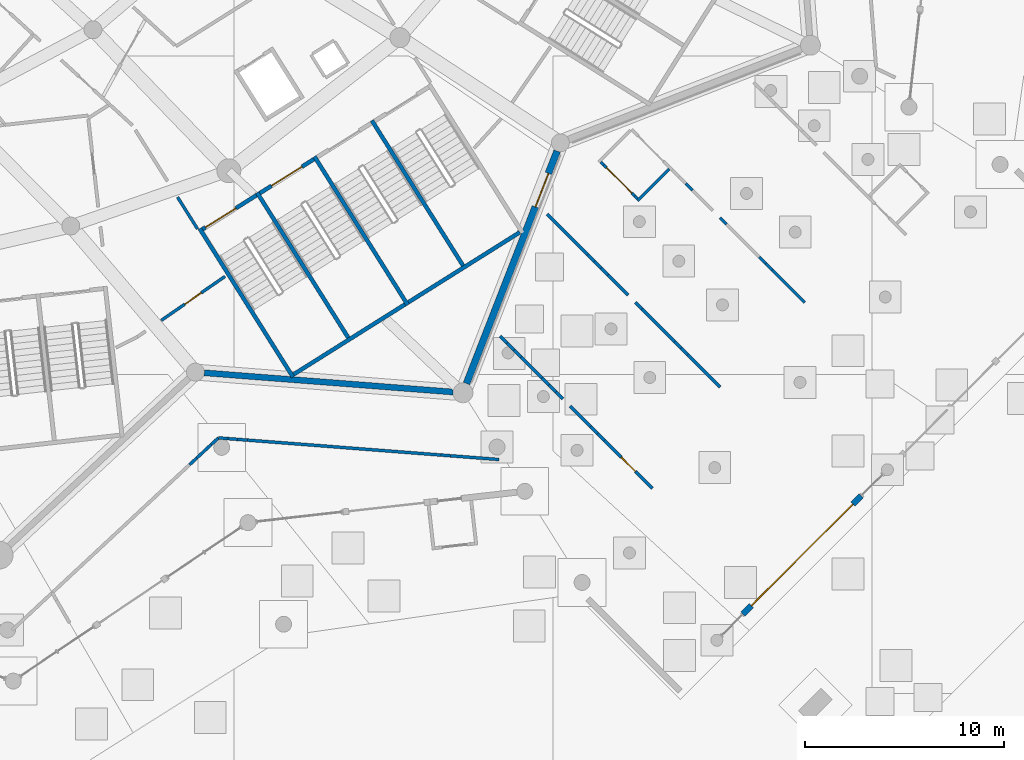
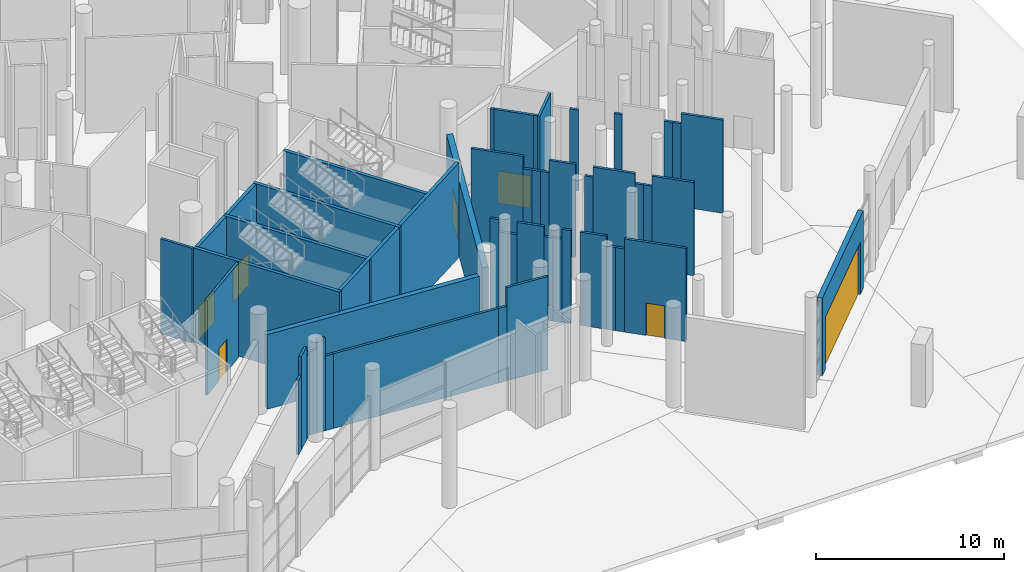
# One storey, part 123 of 255: 52 walls, 7 doors, 7 openings.
"""IFC4 building model written with IfcOpenShell, lengths in metres."""

from ifc_helpers import new_model, si_unit, direction, frame, frame_2d, origin, place, context, subcontext, project, spatial, rectangle, extrude, material, layer, layer_set, type_object, element, fill, save


model = new_model("IFC4")

# Units and contexts
model_context = context("Model", 3, precision=1e-05, world=origin(), true_north=direction((0.0, 1.0)))
body_context = subcontext(model_context, "Body", "Model", "MODEL_VIEW")
ifc_project = project(units=[si_unit("LENGTHUNIT", "METRE"), si_unit("AREAUNIT", "SQUARE_METRE"), si_unit("VOLUMEUNIT", "CUBIC_METRE"), si_unit("PLANEANGLEUNIT", "RADIAN"), si_unit("MASSUNIT", "GRAM", prefix="KILO")], contexts=[model_context])

# Site, building, storey
site_placement = place(None, origin())
site = spatial("IfcSite", under=ifc_project, at=site_placement, CompositionType="ELEMENT")
building_placement = place(site_placement, origin())
building = spatial("IfcBuilding", under=site, at=building_placement, Name="Meseta Stadium", CompositionType="ELEMENT")
storey_placement = place(building_placement, origin())
storey = spatial("IfcBuildingStorey", under=building, at=storey_placement, Name="L00", CompositionType="ELEMENT", Elevation=0.0)

# Walls
ifc_material_1 = material(Name="Concrete C40/50", Category="concrete")
ifc_layer_1 = layer(ifc_material_1, 0.199951171875)
ifc_layer_set_1 = layer_set([ifc_layer_1], Name="Core divider wall 200")
wall_type_1 = type_object("IfcWallType", Name="Core divider wall 200", PredefinedType="SHEAR", material=ifc_layer_set_1)
wall_1_placement = place(storey_placement, frame((69.8291015625, -94.314453125, 0.0), z_axis=(0.0, 0.0, 1.0), x_axis=(-0.532032334759, 0.846724036963, 0.0)))
element("IfcWall", 1, at=wall_1_placement, inside=storey, type_object=wall_type_1, Name="Core 27 L00 stair A divider wall", PredefinedType="SHEAR", context=body_context, shape_type="SweptSolid", body=[
    extrude(rectangle(XDim=8.800048828125, YDim=0.199951171875, at=frame_2d((4.39990234375, 0.0))), origin(), (0.0, 0.0, 1.0), 6.14990234375),
])
wall_2_placement = place(storey_placement, frame((75.5869140625, -90.696533203125, 0.0), z_axis=(0.0, 0.0, 1.0), x_axis=(-0.532044832901, 0.846716183726, 0.0)))
element("IfcWall", 2, at=wall_2_placement, inside=storey, type_object=wall_type_1, Name="Core 27 L00 stair B divider wall", PredefinedType="SHEAR", context=body_context, shape_type="SweptSolid", body=[
    extrude(rectangle(XDim=8.7998046875, YDim=0.199951171875, at=frame_2d((4.39990234375, 0.0))), origin(), (0.0, 0.0, 1.0), 6.14990234375),
])
ifc_material_2 = material(Name="Concrete C40/50", Category="concrete")
ifc_layer_2 = layer(ifc_material_2, 0.199951171875)
ifc_layer_set_2 = layer_set([ifc_layer_2], Name="Core shaft wall 200")
wall_type_2 = type_object("IfcWallType", Name="Core shaft wall 200", PredefinedType="SHEAR", material=ifc_layer_set_2)
for number, where, z_axis, x_axis, name in (
    (3, (66.9501953125, -96.123291015625, 0.0), (0.0, 0.0, 1.0), (-0.532032334759, 0.846724036963, 0.0), "Core 27 L00 stair wall A-side"),
    (4, (72.7080078125, -92.505615234375, 0.0), (0.0, 0.0, 1.0), (-0.532032334759, 0.846724036963, 0.0), "Core 27 L00 stair wall shared"),
):
    element("IfcWall", number, at=place(storey_placement, frame(where, z_axis=z_axis, x_axis=x_axis)), inside=storey, type_object=wall_type_2, Name=name, PredefinedType="SHEAR", context=body_context, shape_type="SweptSolid", body=[
        extrude(rectangle(XDim=8.800048828125, YDim=0.199951171875, at=frame_2d((4.39990234375, 0.0))), origin(), (0.0, 0.0, 1.0), 6.14990234375),
    ])
for number, where, z_axis, x_axis, name in (
    (5, (66.981689453125, -95.985595703125, 0.0), (0.0, 0.0, 1.0), (0.846719870989, 0.532038964807, 0.0), "Core 27 L00 stair A outer end wall"),
    (6, (72.739501953125, -92.36767578125, 0.0), (0.0, 0.0, 1.0), (0.846719870989, 0.532038964807, 0.0), "Core 27 L00 stair B outer end wall"),
):
    element("IfcWall", number, at=place(storey_placement, frame(where, z_axis=z_axis, x_axis=x_axis)), inside=storey, type_object=wall_type_2, Name=name, PredefinedType="SHEAR", context=body_context, shape_type="SweptSolid", body=[
        extrude(rectangle(XDim=6.60009765625, YDim=0.199951171875, at=frame_2d((3.300048828125, 0.0))), origin(), (0.0, 0.0, 1.0), 6.14990234375),
    ])

# Wall, opening, door
wall_3_placement = place(storey_placement, frame((62.40625, -88.70361328125, 0.0), z_axis=(0.0, 0.0, 1.0), x_axis=(0.846735733015, 0.532013720158, 0.0)))
wall_3 = element("IfcWall", 7, at=wall_3_placement, inside=storey, type_object=wall_type_2, Name="Core 27 L00 stair A1 inner end wall", PredefinedType="SHEAR", context=body_context, shape_type="SweptSolid", body=[
    extrude(rectangle(XDim=3.199951171875, YDim=0.199951171875, at=frame_2d((1.60009765625, 0.0))), origin(), (0.0, 0.0, 1.0), 6.14990234375),
])
opening_1_placement = place(wall_3_placement, frame((0.177978515625, 0.0, 0.0)))
opening_1 = element("IfcOpeningElement", 8, at=opening_1_placement, cuts=wall_3, Name="Opening D357", PredefinedType="OPENING", context=body_context, shape_type="SweptSolid", body=[
    extrude(rectangle(XDim=1.800048828125, YDim=2.10009765625, at=frame_2d((0.89990234375, 1.050048828125))), frame((0.0, 0.10986328125, 0.0), z_axis=(0.0, -1.0, 0.0), x_axis=(1.0, 0.0, 0.0)), (0.0, 0.0, 1.0), 0.219970703125),
])
ifc_material_3 = material(Name="Steel", Category="steel")
door_type_1 = type_object("IfcDoorType", Name="Stair door 1800x2100", OperationType="DOUBLE_DOOR_SINGLE_SWING", PredefinedType="DOOR", material=ifc_material_3)
door_1_placement = place(opening_1_placement, origin())
door_1 = element("IfcDoor", 9, at=door_1_placement, inside=storey, type_object=door_type_1, Name="Stair A1 door 27 L00", OperationType="DOUBLE_DOOR_SINGLE_SWING", OverallHeight=2.10009765625, OverallWidth=1.800048828125, PredefinedType="DOOR", context=body_context, shape_type="SweptSolid", body=[
    extrude(rectangle(XDim=1.800048828125, YDim=2.10009765625, at=frame_2d((0.89990234375, 1.050048828125))), frame((0.0, 0.02490234375, 0.0), z_axis=(0.0, -1.0, 0.0), x_axis=(1.0, 0.0, 0.0)), (0.0, 0.0, 1.0), 0.050048828125),
])
fill(opening_1, door_1)

wall_4_placement = place(storey_placement, frame((65.28515625, -86.894775390625, 0.0), z_axis=(0.0, 0.0, 1.0), x_axis=(0.846735733015, 0.532013720158, 0.0)))
wall_4 = element("IfcWall", 10, at=wall_4_placement, inside=storey, type_object=wall_type_2, Name="Core 27 L00 stair A2 inner end wall", PredefinedType="SHEAR", context=body_context, shape_type="SweptSolid", body=[
    extrude(rectangle(XDim=3.199951171875, YDim=0.199951171875, at=frame_2d((1.60009765625, 0.0))), origin(), (0.0, 0.0, 1.0), 6.14990234375),
])
opening_2_placement = place(wall_4_placement, frame((0.699951171875, 0.0, 0.0)))
opening_2 = element("IfcOpeningElement", 11, at=opening_2_placement, cuts=wall_4, Name="Opening D358", PredefinedType="OPENING", context=body_context, shape_type="SweptSolid", body=[
    extrude(rectangle(XDim=1.800048828125, YDim=2.10009765625, at=frame_2d((0.89990234375, 1.050048828125))), frame((0.0, 0.10986328125, 0.0), z_axis=(0.0, -1.0, 0.0), x_axis=(1.0, 0.0, 0.0)), (0.0, 0.0, 1.0), 0.219970703125),
])
door_2_placement = place(opening_2_placement, origin())
door_2 = element("IfcDoor", 12, at=door_2_placement, inside=storey, type_object=door_type_1, Name="Stair A2 door 27 L00", OperationType="DOUBLE_DOOR_SINGLE_SWING", OverallHeight=2.10009765625, OverallWidth=1.800048828125, PredefinedType="DOOR", context=body_context, shape_type="SweptSolid", body=[
    extrude(rectangle(XDim=1.800048828125, YDim=2.10009765625, at=frame_2d((0.89990234375, 1.050048828125))), frame((0.0, 0.02490234375, 0.0), z_axis=(0.0, -1.0, 0.0), x_axis=(1.0, 0.0, 0.0)), (0.0, 0.0, 1.0), 0.050048828125),
])
fill(opening_2, door_2)

ifc_material_4 = material(Name="Precast concrete C40/50", Category="concrete")
ifc_layer_3 = layer(ifc_material_4, 0.300048828125)
ifc_layer_set_3 = layer_set([ifc_layer_3], Name="Gate facade panel wall 300")
wall_type_3 = type_object("IfcWallType", Name="Gate facade panel wall 300", PredefinedType="SOLIDWALL", material=ifc_layer_set_3)
wall_5_placement = place(storey_placement, frame((95.462158203125, -102.078369140625, 0.0), z_axis=(0.0, 0.0, 1.0), x_axis=(-0.707106781187, -0.707106781187, 0.0)))
wall_5 = element("IfcWall", 13, at=wall_5_placement, inside=storey, type_object=wall_type_3, Name="Gate 8 entrance wall", PredefinedType="SOLIDWALL", context=body_context, shape_type="SweptSolid", body=[
    extrude(rectangle(XDim=8.39990234375, YDim=0.300048828125, at=frame_2d((4.199951171875, 0.0))), origin(), (0.0, 0.0, 1.0), 5.050048828125),
])
opening_3_placement = place(wall_5_placement, frame((0.60009765625, 0.0, 0.0)))
opening_3 = element("IfcOpeningElement", 14, at=opening_3_placement, cuts=wall_5, Name="Opening D027", PredefinedType="OPENING", context=body_context, shape_type="SweptSolid", body=[
    extrude(rectangle(XDim=7.199951171875, YDim=3.39990234375, at=frame_2d((3.60009765625, 1.699951171875))), frame((0.0, 0.159912109375, 0.0), z_axis=(0.0, -1.0, 0.0), x_axis=(1.0, 0.0, 0.0)), (0.0, 0.0, 1.0), 0.320068359375),
])
ifc_material_5 = material(Name="Steel", Category="steel")
door_type_2 = type_object("IfcDoorType", Name="Main entrance door 7200x3400", OperationType="DOUBLE_DOOR_SINGLE_SWING", PredefinedType="DOOR", material=ifc_material_5)
door_3_placement = place(opening_3_placement, origin())
door_3 = element("IfcDoor", 15, at=door_3_placement, inside=storey, type_object=door_type_2, Name="Main entrance E8", OperationType="DOUBLE_DOOR_SINGLE_SWING", OverallHeight=3.39990234375, OverallWidth=7.199951171875, PredefinedType="DOOR", context=body_context, shape_type="SweptSolid", body=[
    extrude(rectangle(XDim=7.199951171875, YDim=3.39990234375, at=frame_2d((3.60009765625, 1.699951171875))), frame((0.0, 0.02490234375, 0.0), z_axis=(0.0, -1.0, 0.0), x_axis=(1.0, 0.0, 0.0)), (0.0, 0.0, 1.0), 0.050048828125),
])
fill(opening_3, door_3)

# Walls
ifc_material_6 = material(Name="Masonry blockwork", Category="masonry")
ifc_layer_4 = layer(ifc_material_6, 0.14990234375)
ifc_layer_set_4 = layer_set([ifc_layer_4], Name="Partition 150")
wall_type_4 = type_object("IfcWallType", Name="Partition 150", PredefinedType="PARTITIONING", material=ifc_layer_set_4)
wall_6_placement = place(storey_placement, frame((77.338134765625, -94.066162109375, 0.0), z_axis=(0.0, 0.0, 1.0), x_axis=(0.707106781187, -0.707106781187, 0.0)))
element("IfcWall", 16, at=wall_6_placement, inside=storey, type_object=wall_type_4, Name="Partition L00 G8-L00-0-SecurityScreening-0", PredefinedType="PARTITIONING", context=body_context, shape_type="SweptSolid", body=[
    extrude(rectangle(XDim=0.495361328125, YDim=0.14990234375, at=frame_2d((0.24755859375, 0.0))), origin(), (0.0, 0.0, 1.0), 6.050048828125),
])
for number, where, z_axis, x_axis, name in (
    (17, (77.6884765625, -94.41650390625, 0.0), (0.0, 0.0, 1.0), (0.707353202764, -0.706860273703, 0.0), "Partition L00 G8-L00-0-SecurityScreening-0"),
    (18, (78.038818359375, -94.7666015625, 0.0), (0.0, 0.0, 1.0), (0.707106781187, -0.707106781187, 0.0), "Partition L00 G8-L00-0-SecurityScreening-0"),
):
    element("IfcWall", number, at=place(storey_placement, frame(where, z_axis=z_axis, x_axis=x_axis)), inside=storey, type_object=wall_type_4, Name=name, PredefinedType="PARTITIONING", context=body_context, shape_type="SweptSolid", body=[
        extrude(rectangle(XDim=0.495361328125, YDim=0.14990234375, at=frame_2d((0.24755859375, 0.0))), origin(), (0.0, 0.0, 1.0), 5.25),
    ])
wall_7_placement = place(storey_placement, frame((78.38916015625, -95.116943359375, 0.0), z_axis=(0.0, 0.0, 1.0), x_axis=(0.707024640654, -0.707188912178, 0.0)))
element("IfcWall", 19, at=wall_7_placement, inside=storey, type_object=wall_type_4, Name="Partition L00 G8-L00-0-SecurityScreening-0", PredefinedType="PARTITIONING", context=body_context, shape_type="SweptSolid", body=[
    extrude(rectangle(XDim=1.486083984375, YDim=0.14990234375, at=frame_2d((0.7431640625, 0.0))), origin(), (0.0, 0.0, 1.0), 6.050048828125),
])
for number, where, z_axis, x_axis, name in (
    (20, (79.43994140625, -96.16796875, 0.0), (0.0, 0.0, 1.0), (0.707106781187, -0.707106781187, 0.0), "Partition L00 G8-L00-0-SecurityScreening-0"),
    (21, (79.790283203125, -96.518310546875, 0.0), (0.0, 0.0, 1.0), (0.707353202764, -0.706860273703, 0.0), "Partition L00 G8-L00-0-SecurityScreening-0"),
):
    element("IfcWall", number, at=place(storey_placement, frame(where, z_axis=z_axis, x_axis=x_axis)), inside=storey, type_object=wall_type_4, Name=name, PredefinedType="PARTITIONING", context=body_context, shape_type="SweptSolid", body=[
        extrude(rectangle(XDim=0.495361328125, YDim=0.14990234375, at=frame_2d((0.24755859375, 0.0))), origin(), (0.0, 0.0, 1.0), 5.39990234375),
    ])
wall_8_placement = place(storey_placement, frame((80.140625, -96.868408203125, 0.0), z_axis=(0.0, 0.0, 1.0), x_axis=(0.706860445455, -0.707353031131, 0.0)))
element("IfcWall", 22, at=wall_8_placement, inside=storey, type_object=wall_type_4, Name="Partition L00 G8-L00-0-SecurityScreening-0", PredefinedType="PARTITIONING", context=body_context, shape_type="SweptSolid", body=[
    extrude(rectangle(XDim=0.49560546875, YDim=0.14990234375, at=frame_2d((0.247802734375, 0.0))), origin(), (0.0, 0.0, 1.0), 6.050048828125),
])
wall_9_placement = place(storey_placement, frame((80.853515625, -97.58154296875, 0.0), z_axis=(0.0, 0.0, 1.0), x_axis=(0.707106781187, -0.707106781187, 0.0)))
element("IfcWall", 23, at=wall_9_placement, inside=storey, type_object=wall_type_4, Name="Partition L00 G8-L00-0-SecurityScreening-0", PredefinedType="PARTITIONING", context=body_context, shape_type="SweptSolid", body=[
    extrude(rectangle(XDim=1.457763671875, YDim=0.14990234375, at=frame_2d((0.72900390625, 0.0))), origin(), (0.0, 0.0, 1.0), 6.050048828125),
])
for number, where, z_axis, x_axis, name in (
    (24, (81.88427734375, -98.6123046875, 0.0), (0.0, 0.0, 1.0), (0.707106781187, -0.707106781187, 0.0), "Partition L00 G8-L00-0-SecurityScreening-0"),
    (25, (82.227783203125, -98.955810546875, 0.0), (0.0, 0.0, 1.0), (0.707106781187, -0.707106781187, 0.0), "Partition L00 G8-L00-0-SecurityScreening-0"),
):
    element("IfcWall", number, at=place(storey_placement, frame(where, z_axis=z_axis, x_axis=x_axis)), inside=storey, type_object=wall_type_4, Name=name, PredefinedType="PARTITIONING", context=body_context, shape_type="SweptSolid", body=[
        extrude(rectangle(XDim=0.48583984375, YDim=0.14990234375, at=frame_2d((0.242919921875, 0.0))), origin(), (0.0, 0.0, 1.0), 5.39990234375),
    ])

# Wall, opening, door
wall_10_placement = place(storey_placement, frame((82.5712890625, -99.29931640625, 0.0), z_axis=(0.0, 0.0, 1.0), x_axis=(0.707142668556, -0.707070891996, 0.0)))
wall_10 = element("IfcWall", 26, at=wall_10_placement, inside=storey, type_object=wall_type_4, Name="Partition L00 G8-L00-0-SecurityScreening-0", PredefinedType="PARTITIONING", context=body_context, shape_type="SweptSolid", body=[
    extrude(rectangle(XDim=3.4013671875, YDim=0.14990234375, at=frame_2d((1.70068359375, 0.0))), origin(), (0.0, 0.0, 1.0), 6.050048828125),
])
opening_4_placement = place(wall_10_placement, frame((1.199951171875, 0.0, 0.0)))
opening_4 = element("IfcOpeningElement", 27, at=opening_4_placement, cuts=wall_10, Name="Opening D532", PredefinedType="OPENING", context=body_context, shape_type="SweptSolid", body=[
    extrude(rectangle(XDim=1.0, YDim=2.10009765625, at=frame_2d((0.5, 1.050048828125))), frame((0.0, 0.0849609375, 0.0), z_axis=(0.0, -1.0, 0.0), x_axis=(1.0, 0.0, 0.0)), (0.0, 0.0, 1.0), 0.169921875),
])
ifc_material_7 = material(Name="Steel", Category="steel")
door_type_3 = type_object("IfcDoorType", Name="Fire door 1000x2100 EI2 60", OperationType="NOTDEFINED", PredefinedType="DOOR", material=ifc_material_7)
door_4_placement = place(opening_4_placement, origin())
door_4 = element("IfcDoor", 28, at=door_4_placement, inside=storey, type_object=door_type_3, Name="Door D532", OperationType="SINGLE_SWING_RIGHT", OverallHeight=2.10009765625, OverallWidth=1.0, PredefinedType="DOOR", context=body_context, shape_type="SweptSolid", body=[
    extrude(rectangle(XDim=1.0, YDim=2.10009765625, at=frame_2d((0.5, 1.050048828125))), frame((0.0, 0.02490234375, 0.0), z_axis=(0.0, -1.0, 0.0), x_axis=(1.0, 0.0, 0.0)), (0.0, 0.0, 1.0), 0.050048828125),
])
fill(opening_4, door_4)

# Walls
wall_11_placement = place(storey_placement, frame((79.70654296875, -87.94921875, 0.0), z_axis=(0.0, 0.0, 1.0), x_axis=(0.707106781187, -0.707106781187, 0.0)))
element("IfcWall", 29, at=wall_11_placement, inside=storey, type_object=wall_type_4, Name="Partition L00 G8-L00-1-AccessibleEntranceRoom-0", PredefinedType="PARTITIONING", context=body_context, shape_type="SweptSolid", body=[
    extrude(rectangle(XDim=2.87158203125, YDim=0.14990234375, at=frame_2d((1.435791015625, 0.0))), origin(), (0.0, 0.0, 1.0), 6.050048828125),
])
for number, where, z_axis, x_axis, name in (
    (30, (81.737060546875, -89.979736328125, 0.0), (0.0, 0.0, 1.0), (0.707106781187, -0.707106781187, 0.0), "Partition L00 G8-L00-1-AccessibleEntranceRoom-0"),
    (31, (82.075439453125, -90.318115234375, 0.0), (0.0, 0.0, 1.0), (0.707106781187, -0.707106781187, 0.0), "Partition L00 G8-L00-1-AccessibleEntranceRoom-0"),
    (32, (82.413818359375, -90.656494140625, 0.0), (0.0, 0.0, 1.0), (0.707106781187, -0.707106781187, 0.0), "Partition L00 G8-L00-1-AccessibleEntranceRoom-0"),
):
    element("IfcWall", number, at=place(storey_placement, frame(where, z_axis=z_axis, x_axis=x_axis)), inside=storey, type_object=wall_type_4, Name=name, PredefinedType="PARTITIONING", context=body_context, shape_type="SweptSolid", body=[
        extrude(rectangle(XDim=0.478515625, YDim=0.14990234375, at=frame_2d((0.2392578125, 0.0))), origin(), (0.0, 0.0, 1.0), 5.25),
    ])
wall_12_placement = place(storey_placement, frame((82.752197265625, -90.994873046875, 0.0), z_axis=(0.0, 0.0, 1.0), x_axis=(0.707106781187, -0.707106781187, 0.0)))
element("IfcWall", 33, at=wall_12_placement, inside=storey, type_object=wall_type_4, Name="Partition L00 G8-L00-1-AccessibleEntranceRoom-0", PredefinedType="PARTITIONING", context=body_context, shape_type="SweptSolid", body=[
    extrude(rectangle(XDim=1.43603515625, YDim=0.14990234375, at=frame_2d((0.718017578125, 0.0))), origin(), (0.0, 0.0, 1.0), 6.050048828125),
])
wall_13_placement = place(storey_placement, frame((84.130126953125, -92.372802734375, 0.0), z_axis=(0.0, 0.0, 1.0), x_axis=(0.707370676207, -0.706842787643, 0.0)))
element("IfcWall", 34, at=wall_13_placement, inside=storey, type_object=wall_type_4, Name="Partition L00 G8-L00-1-AccessibleEntranceRoom-0", PredefinedType="PARTITIONING", context=body_context, shape_type="SweptSolid", body=[
    extrude(rectangle(XDim=0.46240234375, YDim=0.14990234375, at=frame_2d((0.231201171875, 0.0))), origin(), (0.0, 0.0, 1.0), 5.39990234375),
])
wall_14_placement = place(storey_placement, frame((84.457275390625, -92.69970703125, 0.0), z_axis=(0.0, 0.0, 1.0), x_axis=(0.707053998237, -0.707159560196, 0.0)))
element("IfcWall", 35, at=wall_14_placement, inside=storey, type_object=wall_type_4, Name="Partition L00 G8-L00-1-AccessibleEntranceRoom-0", PredefinedType="PARTITIONING", context=body_context, shape_type="SweptSolid", body=[
    extrude(rectangle(XDim=2.312744140625, YDim=0.14990234375, at=frame_2d((1.15625, 0.0))), origin(), (0.0, 0.0, 1.0), 6.050048828125),
])
for number, where, z_axis, x_axis, name in (
    (36, (86.092529296875, -94.335205078125, 0.0), (0.0, 0.0, 1.0), (0.707370676207, -0.706842787643, 0.0), "Partition L00 G8-L00-1-AccessibleEntranceRoom-0"),
    (37, (86.419677734375, -94.662109375, 0.0), (0.0, 0.0, 1.0), (0.706842787643, -0.707370676207, 0.0), "Partition L00 G8-L00-1-AccessibleEntranceRoom-0"),
):
    element("IfcWall", number, at=place(storey_placement, frame(where, z_axis=z_axis, x_axis=x_axis)), inside=storey, type_object=wall_type_4, Name=name, PredefinedType="PARTITIONING", context=body_context, shape_type="SweptSolid", body=[
        extrude(rectangle(XDim=0.46240234375, YDim=0.14990234375, at=frame_2d((0.231201171875, 0.0))), origin(), (0.0, 0.0, 1.0), 5.39990234375),
    ])
wall_15_placement = place(storey_placement, frame((86.74658203125, -94.9892578125, 0.0), z_axis=(0.0, 0.0, 1.0), x_axis=(0.707159560196, -0.707053998237, 0.0)))
element("IfcWall", 38, at=wall_15_placement, inside=storey, type_object=wall_type_4, Name="Partition L00 G8-L00-1-AccessibleEntranceRoom-0", PredefinedType="PARTITIONING", context=body_context, shape_type="SweptSolid", body=[
    extrude(rectangle(XDim=2.312744140625, YDim=0.14990234375, at=frame_2d((1.15625, 0.0))), origin(), (0.0, 0.0, 1.0), 6.050048828125),
])
wall_16_placement = place(storey_placement, frame((86.656494140625, -86.413818359375, 0.0), z_axis=(0.0, 0.0, 1.0), x_axis=(0.707106781187, -0.707106781187, 0.0)))
element("IfcWall", 39, at=wall_16_placement, inside=storey, type_object=wall_type_4, Name="Partition L00 G8-L00-2-TicketHall-0", PredefinedType="PARTITIONING", context=body_context, shape_type="SweptSolid", body=[
    extrude(rectangle(XDim=0.478515625, YDim=0.14990234375, at=frame_2d((0.2392578125, 0.0))), origin(), (0.0, 0.0, 1.0), 5.25),
])
for number, where, z_axis, x_axis, name in (
    (40, (88.372802734375, -88.130126953125, 0.0), (0.0, 0.0, 1.0), (0.706842787643, -0.707370676207, 0.0), "Partition L00 G8-L00-2-TicketHall-0"),
    (41, (90.335205078125, -90.092529296875, 0.0), (0.0, 0.0, 1.0), (0.706842787643, -0.707370676207, 0.0), "Partition L00 G8-L00-2-TicketHall-0"),
    (42, (90.662109375, -90.419677734375, 0.0), (0.0, 0.0, 1.0), (0.707370676207, -0.706842787643, 0.0), "Partition L00 G8-L00-2-TicketHall-0"),
):
    element("IfcWall", number, at=place(storey_placement, frame(where, z_axis=z_axis, x_axis=x_axis)), inside=storey, type_object=wall_type_4, Name=name, PredefinedType="PARTITIONING", context=body_context, shape_type="SweptSolid", body=[
        extrude(rectangle(XDim=0.46240234375, YDim=0.14990234375, at=frame_2d((0.231201171875, 0.0))), origin(), (0.0, 0.0, 1.0), 5.39990234375),
    ])
wall_17_placement = place(storey_placement, frame((90.9892578125, -90.74658203125, 0.0), z_axis=(0.0, 0.0, 1.0), x_axis=(0.707053998237, -0.707159560196, 0.0)))
element("IfcWall", 43, at=wall_17_placement, inside=storey, type_object=wall_type_4, Name="Partition L00 G8-L00-2-TicketHall-0", PredefinedType="PARTITIONING", context=body_context, shape_type="SweptSolid", body=[
    extrude(rectangle(XDim=2.312744140625, YDim=0.14990234375, at=frame_2d((1.15625, 0.0))), origin(), (0.0, 0.0, 1.0), 6.050048828125),
])
wall_18_placement = place(storey_placement, frame((61.15673828125, -87.091064453125, 0.0), z_axis=(0.0, 0.0, 1.0), x_axis=(0.532052497691, -0.84671136741, 0.0)))
element("IfcWall", 44, at=wall_18_placement, inside=storey, type_object=wall_type_4, Name="Partition L00 L00-cell25-2-0", PredefinedType="PARTITIONING", context=body_context, shape_type="SweptSolid", body=[
    extrude(rectangle(XDim=1.89013671875, YDim=0.14990234375, at=frame_2d((0.945068359375, 0.0))), origin(), (0.0, 0.0, 1.0), 6.14990234375),
])

# Wall, opening, door
wall_19_placement = place(storey_placement, frame((60.348388671875, -93.272216796875, 0.0), z_axis=(0.0, 0.0, 1.0), x_axis=(0.823118384127, 0.567869814053, 0.0)))
wall_19 = element("IfcWall", 45, at=wall_19_placement, inside=storey, type_object=wall_type_4, Name="Partition L00 L00-cell25-2-0", PredefinedType="PARTITIONING", context=body_context, shape_type="SweptSolid", body=[
    extrude(rectangle(XDim=3.876708984375, YDim=0.14990234375, at=frame_2d((1.9384765625, 0.0))), origin(), (0.0, 0.0, 1.0), 6.14990234375),
])
opening_5_placement = place(wall_19_placement, frame((1.426513671875, 0.0, 0.0)))
opening_5 = element("IfcOpeningElement", 46, at=opening_5_placement, cuts=wall_19, Name="Opening D614", PredefinedType="OPENING", context=body_context, shape_type="SweptSolid", body=[
    extrude(rectangle(XDim=1.0, YDim=2.10009765625, at=frame_2d((0.5, 1.050048828125))), frame((0.0, 0.0849609375, 0.0), z_axis=(0.0, -1.0, 0.0), x_axis=(1.0, 0.0, 0.0)), (0.0, 0.0, 1.0), 0.169921875),
])
ifc_material_8 = material(Name="Steel", Category="steel")
door_type_4 = type_object("IfcDoorType", Name="Fire door 1000x2100 EI2 120", OperationType="NOTDEFINED", PredefinedType="DOOR", material=ifc_material_8)
door_5_placement = place(opening_5_placement, origin())
door_5 = element("IfcDoor", 47, at=door_5_placement, inside=storey, type_object=door_type_4, Name="Door D614", OperationType="SINGLE_SWING_RIGHT", OverallHeight=2.10009765625, OverallWidth=1.0, PredefinedType="DOOR", context=body_context, shape_type="SweptSolid", body=[
    extrude(rectangle(XDim=1.0, YDim=2.10009765625, at=frame_2d((0.5, 1.050048828125))), frame((0.0, 0.02490234375, 0.0), z_axis=(0.0, -1.0, 0.0), x_axis=(1.0, 0.0, 0.0)), (0.0, 0.0, 1.0), 0.050048828125),
])
fill(opening_5, door_5)

# Walls
wall_20_placement = place(storey_placement, frame((61.76220703125, -100.516845703125, 0.0), z_axis=(0.0, 0.0, 1.0), x_axis=(0.731417207669, 0.681930251805, 0.0)))
element("IfcWall", 48, at=wall_20_placement, inside=storey, type_object=wall_type_4, Name="Partition L00 L00-ring25-0", PredefinedType="PARTITIONING", context=body_context, shape_type="SweptSolid", body=[
    extrude(rectangle(XDim=0.493408203125, YDim=0.14990234375, at=frame_2d((0.24658203125, 0.0))), origin(), (0.0, 0.0, 1.0), 4.85009765625),
])
wall_21_placement = place(storey_placement, frame((62.123046875, -100.180419921875, 0.0), z_axis=(0.0, 0.0, 1.0), x_axis=(0.731655638736, 0.681674428379, 0.0)))
element("IfcWall", 49, at=wall_21_placement, inside=storey, type_object=wall_type_4, Name="Partition L00 L00-ring25-0", PredefinedType="PARTITIONING", context=body_context, shape_type="SweptSolid", body=[
    extrude(rectangle(XDim=0.98681640625, YDim=0.14990234375, at=frame_2d((0.493408203125, 0.0))), origin(), (0.0, 0.0, 1.0), 6.050048828125),
])
wall_22_placement = place(storey_placement, frame((62.844970703125, -99.5078125, 0.0), z_axis=(0.0, 0.0, 1.0), x_axis=(0.731417207669, 0.681930251805, 0.0)))
element("IfcWall", 50, at=wall_22_placement, inside=storey, type_object=wall_type_4, Name="Partition L00 L00-ring25-0", PredefinedType="PARTITIONING", context=body_context, shape_type="SweptSolid", body=[
    extrude(rectangle(XDim=0.493408203125, YDim=0.14990234375, at=frame_2d((0.24658203125, 0.0))), origin(), (0.0, 0.0, 1.0), 5.39990234375),
])
wall_23_placement = place(storey_placement, frame((63.205810546875, -99.17138671875, 0.0), z_axis=(0.0, 0.0, 1.0), x_axis=(0.997051534558, -0.076734851503, 0.0)))
element("IfcWall", 51, at=wall_23_placement, inside=storey, type_object=wall_type_4, Name="Partition L00 L00-ring25-0", PredefinedType="PARTITIONING", context=body_context, shape_type="SweptSolid", body=[
    extrude(rectangle(XDim=0.48681640625, YDim=0.14990234375, at=frame_2d((0.243408203125, 0.0))), origin(), (0.0, 0.0, 1.0), 5.39990234375),
])
wall_24_placement = place(storey_placement, frame((63.691162109375, -99.208740234375, 0.0), z_axis=(0.0, 0.0, 1.0), x_axis=(0.997054485502, -0.076696498885, 0.0)))
element("IfcWall", 52, at=wall_24_placement, inside=storey, type_object=wall_type_4, Name="Partition L00 L00-ring25-0", PredefinedType="PARTITIONING", context=body_context, shape_type="SweptSolid", body=[
    extrude(rectangle(XDim=0.487060546875, YDim=0.14990234375, at=frame_2d((0.24365234375, 0.0))), origin(), (0.0, 0.0, 1.0), 6.050048828125),
])
wall_25_placement = place(storey_placement, frame((64.1767578125, -99.24609375, 0.0), z_axis=(0.0, 0.0, 1.0), x_axis=(0.99701303965, -0.07723340448, 0.0)))
element("IfcWall", 53, at=wall_25_placement, inside=storey, type_object=wall_type_4, Name="Partition L00 L00-ring25-0", PredefinedType="PARTITIONING", context=body_context, shape_type="SweptSolid", body=[
    extrude(rectangle(XDim=0.48681640625, YDim=0.14990234375, at=frame_2d((0.243408203125, 0.0))), origin(), (0.0, 0.0, 1.0), 4.85009765625),
])
wall_26_placement = place(storey_placement, frame((64.662109375, -99.28369140625, 0.0), z_axis=(0.0, 0.0, 1.0), x_axis=(0.997035430136, -0.076943817519, 0.0)))
element("IfcWall", 54, at=wall_26_placement, inside=storey, type_object=wall_type_4, Name="Partition L00 L00-ring25-0", PredefinedType="PARTITIONING", context=body_context, shape_type="SweptSolid", body=[
    extrude(rectangle(XDim=9.73779296875, YDim=0.14990234375, at=frame_2d((4.868896484375, 0.0))), origin(), (0.0, 0.0, 1.0), 4.85009765625),
])
wall_27_placement = place(storey_placement, frame((74.37109375, -100.032958984375, 0.0), z_axis=(0.0, 0.0, 1.0), x_axis=(0.997051534558, -0.076734851503, 0.0)))
element("IfcWall", 55, at=wall_27_placement, inside=storey, type_object=wall_type_4, Name="Partition L00 L00-ring25-0", PredefinedType="PARTITIONING", context=body_context, shape_type="SweptSolid", body=[
    extrude(rectangle(XDim=0.48681640625, YDim=0.14990234375, at=frame_2d((0.243408203125, 0.0))), origin(), (0.0, 0.0, 1.0), 4.85009765625),
])
wall_28_placement = place(storey_placement, frame((74.8564453125, -100.0703125, 0.0), z_axis=(0.0, 0.0, 1.0), x_axis=(0.99703735319, -0.076918894578, 0.0)))
element("IfcWall", 56, at=wall_28_placement, inside=storey, type_object=wall_type_4, Name="Partition L00 L00-ring25-0", PredefinedType="PARTITIONING", context=body_context, shape_type="SweptSolid", body=[
    extrude(rectangle(XDim=2.4345703125, YDim=0.14990234375, at=frame_2d((1.21728515625, 0.0))), origin(), (0.0, 0.0, 1.0), 6.050048828125),
])
wall_29_placement = place(storey_placement, frame((85.822998046875, -85.6865234375, 0.0), z_axis=(0.0, 0.0, 1.0), x_axis=(-0.707052524, -0.70716103421, 0.0)))
element("IfcWall", 57, at=wall_29_placement, inside=storey, type_object=wall_type_4, Name="Partition L00 G8-L00-2-TicketHall-0 vestibule", PredefinedType="PARTITIONING", context=body_context, shape_type="SweptSolid", body=[
    extrude(rectangle(XDim=2.25, YDim=0.14990234375, at=frame_2d((1.125, 0.0))), origin(), (0.0, 0.0, 1.0), 6.10009765625),
])
wall_30_placement = place(storey_placement, frame((82.3935546875, -85.3330078125, 0.0), z_axis=(0.0, 0.0, 1.0), x_axis=(0.707106781187, -0.707106781187, 0.0)))
element("IfcWall", 58, at=wall_30_placement, inside=storey, type_object=wall_type_4, Name="Partition L00 G8-L00-2-TicketHall-0 vestibule", PredefinedType="PARTITIONING", context=body_context, shape_type="SweptSolid", body=[
    extrude(rectangle(XDim=0.199951171875, YDim=0.14990234375, at=frame_2d((0.10009765625, 0.0))), origin(), (0.0, 0.0, 1.0), 6.10009765625),
])

# Wall, opening, door
wall_31_placement = place(storey_placement, frame((82.534912109375, -85.474365234375, 0.0), z_axis=(0.0, 0.0, 1.0), x_axis=(0.707106781187, -0.707106781187, 0.0)))
wall_31 = element("IfcWall", 59, at=wall_31_placement, inside=storey, type_object=wall_type_4, Name="Partition L00 G8-L00-2-TicketHall-0 vestibule", PredefinedType="PARTITIONING", context=body_context, shape_type="SweptSolid", body=[
    extrude(rectangle(XDim=2.199951171875, YDim=0.14990234375, at=frame_2d((1.10009765625, 0.0))), origin(), (0.0, 0.0, 1.0), 6.10009765625),
])
opening_6_placement = place(wall_31_placement, frame((0.199951171875, 0.0, 0.0)))
opening_6 = element("IfcOpeningElement", 60, at=opening_6_placement, cuts=wall_31, Name="Opening D817", PredefinedType="OPENING", context=body_context, shape_type="SweptSolid", body=[
    extrude(rectangle(XDim=1.800048828125, YDim=2.10009765625, at=frame_2d((0.89990234375, 1.050048828125))), frame((0.0, 0.0849609375, 0.0), z_axis=(0.0, -1.0, 0.0), x_axis=(1.0, 0.0, 0.0)), (0.0, 0.0, 1.0), 0.169921875),
])
ifc_material_9 = material(Name="Steel", Category="steel")
door_type_5 = type_object("IfcDoorType", Name="Fire double door 1800x2100 EI2 60", OperationType="DOUBLE_DOOR_SINGLE_SWING", PredefinedType="DOOR", material=ifc_material_9)
door_6_placement = place(opening_6_placement, origin())
door_6 = element("IfcDoor", 61, at=door_6_placement, inside=storey, type_object=door_type_5, Name="Vestibule door L00 G8-L00-2-TicketHall-0", OperationType="DOUBLE_DOOR_SINGLE_SWING", OverallHeight=2.10009765625, OverallWidth=1.800048828125, PredefinedType="DOOR", context=body_context, shape_type="SweptSolid", body=[
    extrude(rectangle(XDim=1.800048828125, YDim=2.10009765625, at=frame_2d((0.89990234375, 1.050048828125))), frame((0.0, 0.02490234375, 0.0), z_axis=(0.0, -1.0, 0.0), x_axis=(1.0, 0.0, 0.0)), (0.0, 0.0, 1.0), 0.050048828125),
])
fill(opening_6, door_6)

# Walls
wall_32_placement = place(storey_placement, frame((84.090576171875, -87.030029296875, 0.0), z_axis=(0.0, 0.0, 1.0), x_axis=(0.707716618519, -0.706496417452, 0.0)))
element("IfcWall", 62, at=wall_32_placement, inside=storey, type_object=wall_type_4, Name="Partition L00 G8-L00-2-TicketHall-0 vestibule", PredefinedType="PARTITIONING", context=body_context, shape_type="SweptSolid", body=[
    extrude(rectangle(XDim=0.2001953125, YDim=0.14990234375, at=frame_2d((0.10009765625, 0.0))), origin(), (0.0, 0.0, 1.0), 6.10009765625),
])
ifc_material_10 = material(Name="White precast concrete C40/50", Category="concrete")
ifc_layer_5 = layer(ifc_material_10, 0.300048828125)
ifc_layer_set_5 = layer_set([ifc_layer_5], Name="Pleated panel wall 300 concourse")
wall_type_5 = type_object("IfcWallType", Name="Pleated panel wall 300 concourse", PredefinedType="SOLIDWALL", material=ifc_layer_set_5)
wall_33_placement = place(storey_placement, frame((74.9765625, -96.8701171875, 0.0), z_axis=(0.0, 0.0, 1.0), x_axis=(-0.997035289114, 0.076945644854, 0.0)))
element("IfcWall", 63, at=wall_33_placement, inside=storey, type_object=wall_type_5, Name="Pleated facade panel L00 F51", PredefinedType="SOLIDWALL", context=body_context, shape_type="SweptSolid", body=[
    extrude(rectangle(XDim=12.513916015625, YDim=0.300048828125, at=frame_2d((6.2568359375, 0.0))), origin(), (0.0, 0.0, 1.0), 4.85009765625),
])

# Wall, opening, door
ifc_material_11 = material(Name="White precast concrete C40/50", Category="concrete")
ifc_layer_6 = layer(ifc_material_11, 0.35009765625)
ifc_layer_set_6 = layer_set([ifc_layer_6], Name="Pleated panel wall 350 gate")
wall_type_6 = type_object("IfcWallType", Name="Pleated panel wall 350 gate", PredefinedType="SOLIDWALL", material=ifc_layer_set_6)
wall_34_placement = place(storey_placement, frame((80.2021484375, -84.784423828125, 0.0), z_axis=(0.0, 0.0, 1.0), x_axis=(-0.363293457312, -0.931674762927, 0.0)))
wall_34 = element("IfcWall", 64, at=wall_34_placement, inside=storey, type_object=wall_type_6, Name="Pleated facade panel L00 F52", PredefinedType="SOLIDWALL", context=body_context, shape_type="SweptSolid", body=[
    extrude(rectangle(XDim=12.513671875, YDim=0.35009765625, at=frame_2d((6.2568359375, 0.0))), origin(), (0.0, 0.0, 1.0), 4.85009765625),
])
opening_7_placement = place(wall_34_placement, frame((1.199951171875, 0.0, 0.0)))
opening_7 = element("IfcOpeningElement", 65, at=opening_7_placement, cuts=wall_34, Name="Opening D003", PredefinedType="OPENING", context=body_context, shape_type="SweptSolid", body=[
    extrude(rectangle(XDim=1.800048828125, YDim=2.10009765625, at=frame_2d((0.89990234375, 1.050048828125))), frame((0.0, 0.18505859375, 0.0), z_axis=(0.0, -1.0, 0.0), x_axis=(1.0, 0.0, 0.0)), (0.0, 0.0, 1.0), 0.3701171875),
])
ifc_material_12 = material(Name="Steel", Category="steel")
door_type_6 = type_object("IfcDoorType", Name="Fire double door 1800x2100 EI2 120", OperationType="DOUBLE_DOOR_SINGLE_SWING", PredefinedType="DOOR", material=ifc_material_12)
door_7_placement = place(opening_7_placement, origin())
door_7 = element("IfcDoor", 66, at=door_7_placement, inside=storey, type_object=door_type_6, Name="Hall door L00 3", OperationType="DOUBLE_DOOR_SINGLE_SWING", OverallHeight=2.10009765625, OverallWidth=1.800048828125, PredefinedType="DOOR", context=body_context, shape_type="SweptSolid", body=[
    extrude(rectangle(XDim=1.800048828125, YDim=2.10009765625, at=frame_2d((0.89990234375, 1.050048828125))), frame((0.0, 0.02490234375, 0.0), z_axis=(0.0, -1.0, 0.0), x_axis=(1.0, 0.0, 0.0)), (0.0, 0.0, 1.0), 0.050048828125),
])
fill(opening_7, door_7)

save(model, "model.ifc")
